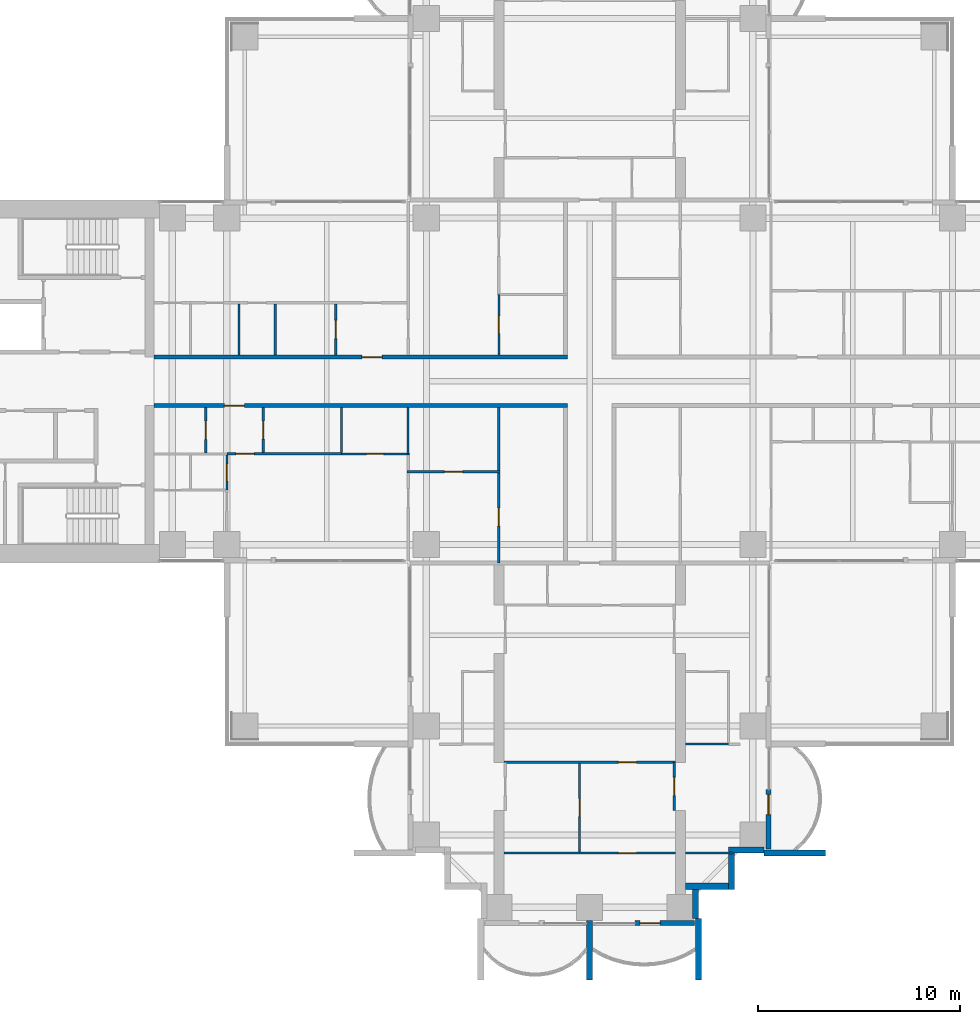
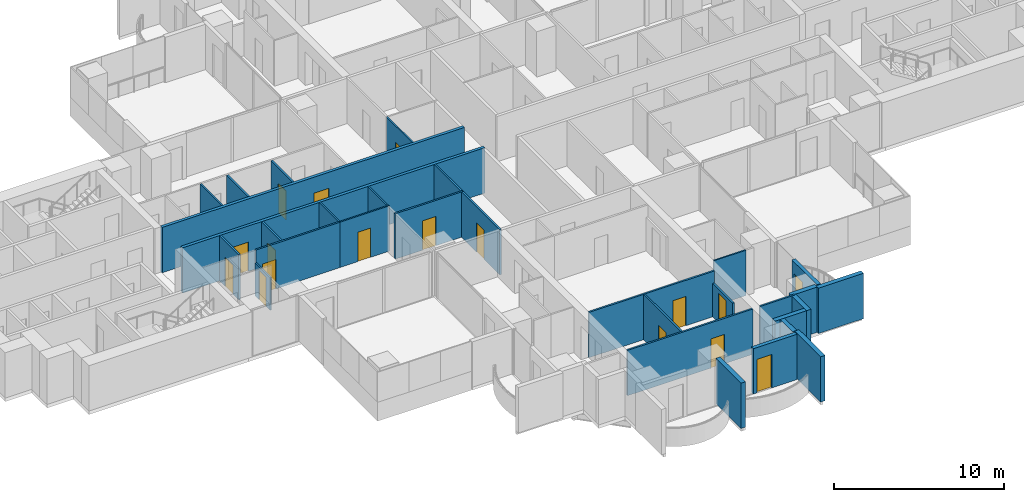
# One storey, part 11 of 21: 30 walls, 17 doors, 17 openings.
"""IFC4 building model written with IfcOpenShell, lengths in metres."""

import ifcopenshell
import ifcopenshell.guid

model = None  # the IFC model being written
_history = None  # IfcOwnerHistory: only IFC2X3 demands one
_inside = {}  # id of a spatial element -> (the spatial element, [elements in it])
_under = {}  # id of a project, library or spatial element -> (it, [spatial elements below it])
_declared = {}  # id of a project -> (the project, [libraries it declares])
_typed = {}  # id of a type object -> (the type object, [elements of that type])
_made_of = {}  # id of a material, layer set ... -> (it, [elements and type objects made of it])


def new_model(schema):
    """Start an empty IFC model of exactly this schema.

    Asked for "IFC4X3", IfcOpenShell would pick the latest addendum, in which some entities
    have other attributes; the version numbers below select the first issue.
    IFC2X3 requires an IfcOwnerHistory on every rooted entity: one is made here for all.
    """
    global model, _history
    if schema == "IFC4X3":
        model = ifcopenshell.file(schema_version=(4, 3, 0, 0))
    else:
        model = ifcopenshell.file(schema=schema)
    _inside.clear()
    _under.clear()
    _declared.clear()
    _typed.clear()
    _made_of.clear()
    _history = None
    if model.schema == "IFC2X3":
        org = make("IfcOrganization", Name="unknown")
        user = make(
            "IfcPersonAndOrganization",
            ThePerson=make("IfcPerson", FamilyName="unknown"),
            TheOrganization=org,
        )
        app = make(
            "IfcApplication",
            ApplicationDeveloper=org,
            Version="unknown",
            ApplicationFullName="unknown",
            ApplicationIdentifier="unknown",
        )
        _history = make(
            "IfcOwnerHistory",
            OwningUser=user,
            OwningApplication=app,
            ChangeAction="ADDED",
            CreationDate=0,
        )
    return model


def make(cls, **values):
    """One entity of the class cls with the attributes given. An attribute that is None is left unset."""
    return model.create_entity(
        cls, **{name: value for name, value in values.items() if value is not None}
    )


def rooted(cls, **values):
    """An entity with a GlobalId (a new one), such as an element, a storey or a relation."""
    return make(cls, GlobalId=ifcopenshell.guid.new(), OwnerHistory=_history, **values)


def si_unit(unit_type, name, prefix=None):
    """IfcSIUnit, for example si_unit("LENGTHUNIT", "METRE", prefix="MILLI")."""
    return make("IfcSIUnit", UnitType=unit_type, Prefix=prefix, Name=name)


def assignment(units):
    """IfcUnitAssignment: the units of a project."""
    return None if units is None else make("IfcUnitAssignment", Units=units)


def point(xyz):
    """IfcCartesianPoint."""
    return None if xyz is None else make("IfcCartesianPoint", Coordinates=xyz)


def direction(xyz):
    """IfcDirection."""
    return None if xyz is None else make("IfcDirection", DirectionRatios=xyz)


def frame(location, z_axis=None, x_axis=None):
    """IfcAxis2Placement3D, a coordinate frame: its origin and axes. An axis left out is left unset."""
    return make(
        "IfcAxis2Placement3D",
        Location=point(location),
        Axis=direction(z_axis),
        RefDirection=direction(x_axis),
    )


def frame_2d(location, x_axis=None):
    """IfcAxis2Placement2D, a coordinate frame in the plane: its origin and x axis."""
    return make(
        "IfcAxis2Placement2D", Location=point(location), RefDirection=direction(x_axis)
    )


def origin():
    """The frame at (0, 0, 0) with its axes left unset."""
    return frame((0.0, 0.0, 0.0))


def place(relative_to, where):
    """IfcLocalPlacement: puts the frame where relative to a parent placement (None: the world)."""
    return make(
        "IfcLocalPlacement", PlacementRelTo=relative_to, RelativePlacement=where
    )


def context(
    kind, dimensions, precision=None, world=None, true_north=None, identifier=None
):
    """IfcGeometricRepresentationContext, for example the 3D "Model" context."""
    return make(
        "IfcGeometricRepresentationContext",
        ContextIdentifier=identifier,
        ContextType=kind,
        CoordinateSpaceDimension=dimensions,
        Precision=precision,
        WorldCoordinateSystem=world,
        TrueNorth=true_north,
    )


def subcontext(parent, identifier, kind, view, scale=None):
    """IfcGeometricRepresentationSubContext, for example "Body" below "Model"."""
    return make(
        "IfcGeometricRepresentationSubContext",
        ContextIdentifier=identifier,
        ContextType=kind,
        ParentContext=parent,
        TargetScale=scale,
        TargetView=view,
    )


def project(units=None, contexts=None):
    """IfcProject with its units and contexts."""
    return rooted(
        "IfcProject",
        Name="project",
        RepresentationContexts=contexts,
        UnitsInContext=assignment(units),
    )


def spatial(cls, under=None, at=None, **own):
    """A site, building, storey or space (cls), placed at a placement, below another one or the project."""
    s = rooted(cls, ObjectPlacement=at, **own)
    if under is not None:
        _under.setdefault(under.id(), (under, []))[1].append(s)
    return s


def profile(cls, at=None, kind="AREA", **sizes):
    """A parametric profile (cls). Its sizes go by their IFC names, for example OverallWidth=200.0."""
    return make(cls, ProfileType=kind, Position=at, **sizes)


def rectangle(**sizes):
    """IfcRectangleProfileDef."""
    return profile("IfcRectangleProfileDef", **sizes)


def extrude(swept, where, along, depth):
    """IfcExtrudedAreaSolid: the profile swept, set in the frame where, extruded along a direction by depth."""
    return make(
        "IfcExtrudedAreaSolid",
        SweptArea=swept,
        Position=where,
        ExtrudedDirection=direction(along),
        Depth=depth,
    )


def shape(context_of_items, identifier, shape_type, items):
    """IfcShapeRepresentation: the items that make up one representation, for example the "Body"."""
    return make(
        "IfcShapeRepresentation",
        ContextOfItems=context_of_items,
        RepresentationIdentifier=identifier,
        RepresentationType=shape_type,
        Items=items,
    )


def material(Name=None, Category=None):
    """IfcMaterial."""
    return make("IfcMaterial", Name=Name, Category=Category)


def layer(
    of_material, thickness, ventilated=None, Name=None, Category=None, Priority=None
):
    """IfcMaterialLayer: one layer of a wall or slab, of a material (None: an air gap)."""
    return make(
        "IfcMaterialLayer",
        Material=of_material,
        LayerThickness=thickness,
        IsVentilated=ventilated,
        Name=Name,
        Category=Category,
        Priority=Priority,
    )


def layer_set(layers, Name=None):
    """IfcMaterialLayerSet."""
    return make("IfcMaterialLayerSet", MaterialLayers=layers, LayerSetName=Name)


def made_of(thing, what):
    """Note that an element or type object is made of a material, layer set ...; save() writes the relation."""
    if what is not None:
        _made_of.setdefault(what.id(), (what, []))[1].append(thing)
    return thing


def type_object(cls, material=None, **own):
    """A type object (cls), such as IfcWallType, which elements share."""
    return made_of(rooted(cls, **own), material)


def element(
    cls,
    number,
    at=None,
    inside=None,
    cuts=None,
    type_object=None,
    material=None,
    context=None,
    identifier="Body",
    shape_type=None,
    held_by="IfcProductDefinitionShape",
    body=None,
    shapes=None,
    **own,
):
    """One element of the class cls, such as IfcWall. Its Tag is "e" and its number.

    at: its placement. inside: the storey or other place that contains it. cuts: it is an
    opening in that element (IfcRelVoidsElement). A single representation is given by context,
    identifier, shape_type and body (its items); several are given by shapes. held_by: the class
    of the entity that holds the representations. save() writes the other relations.
    """
    e = rooted(cls, Tag="e%d" % number, ObjectPlacement=at, **own)
    if body is not None:
        shapes = [shape(context, identifier, shape_type, body)]
    if shapes is not None:
        e.Representation = make(held_by, Representations=shapes)
    if inside is not None:
        _inside.setdefault(inside.id(), (inside, []))[1].append(e)
    if cuts is not None:
        rooted(
            "IfcRelVoidsElement", RelatingBuildingElement=cuts, RelatedOpeningElement=e
        )
    if type_object is not None:
        _typed.setdefault(type_object.id(), (type_object, []))[1].append(e)
    return made_of(e, material)


def fill(opening, filler):
    """IfcRelFillsElement: the door or window that sits in an opening."""
    return rooted(
        "IfcRelFillsElement",
        RelatingOpeningElement=opening,
        RelatedBuildingElement=filler,
    )


def aggregate(whole, parts):
    """IfcRelAggregates: a whole, such as a stair, and the parts it consists of."""
    return rooted("IfcRelAggregates", RelatingObject=whole, RelatedObjects=parts)


def save(model, path):
    """Write the relations noted so far, then the file.

    IfcRelAggregates (storeys below a building ...), IfcRelContainedInSpatialStructure (elements
    in a storey), IfcRelDefinesByType, IfcRelAssociatesMaterial and IfcRelDeclares: one each for
    every whole, place, type object, material and project.
    """
    for whole, parts in _under.values():
        aggregate(whole, parts)
    for where, things in _inside.values():
        rooted(
            "IfcRelContainedInSpatialStructure",
            RelatedElements=things,
            RelatingStructure=where,
        )
    for kind, things in _typed.values():
        rooted("IfcRelDefinesByType", RelatedObjects=things, RelatingType=kind)
    for what, things in _made_of.values():
        rooted("IfcRelAssociatesMaterial", RelatedObjects=things, RelatingMaterial=what)
    for by, libraries in _declared.values():
        rooted("IfcRelDeclares", RelatingContext=by, RelatedDefinitions=libraries)
    model.write(path)


model = new_model("IFC4")

# Units and contexts
model_context = context("Model", 3, precision=1e-05, world=origin(), true_north=direction((0.0, 1.0)))
body_context = subcontext(model_context, "Body", "Model", "MODEL_VIEW")
ifc_project = project(units=[si_unit("LENGTHUNIT", "METRE"), si_unit("AREAUNIT", "SQUARE_METRE"), si_unit("VOLUMEUNIT", "CUBIC_METRE"), si_unit("PLANEANGLEUNIT", "RADIAN"), si_unit("MASSUNIT", "GRAM", prefix="KILO")], contexts=[model_context])

# Site, building, storey
site_placement = place(None, origin())
site = spatial("IfcSite", under=ifc_project, at=site_placement, CompositionType="ELEMENT")
building_placement = place(site_placement, origin())
building = spatial("IfcBuilding", under=site, at=building_placement, Name="Perihelion Cross Residences", CompositionType="ELEMENT")
storey_placement = place(building_placement, frame((0.0, 0.0, 57.5)))
storey = spatial("IfcBuildingStorey", under=building, at=storey_placement, Name="L11", CompositionType="ELEMENT", Elevation=57.5)

# Wall, opening, door
ifc_material_1 = material(Name="Plasterboard partition")
ifc_layer_1 = layer(ifc_material_1, 0.199951171875)
ifc_layer_set_1 = layer_set([ifc_layer_1], Name="Apartment separation wall 200")
wall_type_1 = type_object("IfcWallType", Name="Apartment separation wall 200", PredefinedType="PARTITIONING", material=ifc_layer_set_1)
wall_1_placement = place(storey_placement, frame((-21.60009765625, 1.199951171875, 0.0), z_axis=(0.0, 0.0, 1.0), x_axis=(1.0, 0.0, 0.0)))
wall_1 = element("IfcWall", 1, at=wall_1_placement, inside=storey, type_object=wall_type_1, Name="Partition L11 W005", PredefinedType="PARTITIONING", context=body_context, shape_type="SweptSolid", body=[
    extrude(rectangle(XDim=20.5, YDim=0.199951171875, at=frame_2d((10.25, 0.0))), origin(), (0.0, 0.0, 1.0), 3.25),
])
opening_1_placement = place(wall_1_placement, frame((10.300048828125, 0.0, 0.0)))
opening_1 = element("IfcOpeningElement", 2, at=opening_1_placement, cuts=wall_1, Name="Opening L11.A55", PredefinedType="OPENING", context=body_context, shape_type="SweptSolid", body=[
    extrude(rectangle(XDim=1.0, YDim=2.10009765625, at=frame_2d((0.5, 1.050048828125))), frame((0.0, 0.10986328125, 0.0), z_axis=(0.0, -1.0, 0.0), x_axis=(1.0, 0.0, 0.0)), (0.0, 0.0, 1.0), 0.219970703125),
])
ifc_material_2 = material(Name="Timber door leaf", Category="wood")
door_type_1 = type_object("IfcDoorType", Name="Flat entrance door 1000 x 2100", OperationType="SINGLE_SWING_LEFT", PredefinedType="DOOR", material=ifc_material_2)
door_1_placement = place(opening_1_placement, origin())
door_1 = element("IfcDoor", 3, at=door_1_placement, inside=storey, type_object=door_type_1, Name="Door L11.A55", OperationType="SINGLE_SWING_LEFT", OverallHeight=2.10009765625, OverallWidth=1.0, PredefinedType="DOOR", context=body_context, shape_type="SweptSolid", body=[
    extrude(rectangle(XDim=1.0, YDim=2.10009765625, at=frame_2d((0.5, 1.050048828125))), frame((0.0, 0.02490234375, 0.0), z_axis=(0.0, -1.0, 0.0), x_axis=(1.0, 0.0, 0.0)), (0.0, 0.0, 1.0), 0.050048828125),
])
fill(opening_1, door_1)

wall_2_placement = place(storey_placement, frame((-1.10009765625, -1.199951171875, 0.0), z_axis=(0.0, 0.0, 1.0), x_axis=(-1.0, 0.0, 0.0)))
wall_2 = element("IfcWall", 4, at=wall_2_placement, inside=storey, type_object=wall_type_1, Name="Partition L11 W007", PredefinedType="PARTITIONING", context=body_context, shape_type="SweptSolid", body=[
    extrude(rectangle(XDim=20.5, YDim=0.199951171875, at=frame_2d((10.25, 0.0))), origin(), (0.0, 0.0, 1.0), 3.25),
])
opening_2_placement = place(wall_2_placement, frame((16.02490234375, 0.0, 0.0)))
opening_2 = element("IfcOpeningElement", 5, at=opening_2_placement, cuts=wall_2, Name="Opening L11.A56", PredefinedType="OPENING", context=body_context, shape_type="SweptSolid", body=[
    extrude(rectangle(XDim=1.0, YDim=2.10009765625, at=frame_2d((0.5, 1.050048828125))), frame((0.0, 0.10986328125, 0.0), z_axis=(0.0, -1.0, 0.0), x_axis=(1.0, 0.0, 0.0)), (0.0, 0.0, 1.0), 0.219970703125),
])
door_2_placement = place(opening_2_placement, origin())
door_2 = element("IfcDoor", 6, at=door_2_placement, inside=storey, type_object=door_type_1, Name="Door L11.A56", OperationType="SINGLE_SWING_RIGHT", OverallHeight=2.10009765625, OverallWidth=1.0, PredefinedType="DOOR", context=body_context, shape_type="SweptSolid", body=[
    extrude(rectangle(XDim=1.0, YDim=2.10009765625, at=frame_2d((0.5, 1.050048828125))), frame((0.0, 0.02490234375, 0.0), z_axis=(0.0, -1.0, 0.0), x_axis=(1.0, 0.0, 0.0)), (0.0, 0.0, 1.0), 0.050048828125),
])
fill(opening_2, door_2)

ifc_material_3 = material(Name="Concrete C30/37, bronze-clad", Category="concrete")
ifc_layer_2 = layer(ifc_material_3, 0.25)
ifc_layer_set_2 = layer_set([ifc_layer_2], Name="Bronze-clad pier wall 250")
wall_type_2 = type_object("IfcWallType", Name="Bronze-clad pier wall 250", PredefinedType="SOLIDWALL", material=ifc_layer_set_2)
wall_3_placement = place(storey_placement, frame((2.25, -26.875, 0.0), z_axis=(0.0, 0.0, 1.0), x_axis=(1.0, 0.0, 0.0)))
wall_3 = element("IfcWall", 7, at=wall_3_placement, inside=storey, type_object=wall_type_2, Name="Wall FW1 L11 south tip south bay 2 pier", PredefinedType="SOLIDWALL", context=body_context, shape_type="SweptSolid", body=[
    extrude(rectangle(XDim=2.949951171875, YDim=0.25, at=frame_2d((1.47509765625, 0.0))), origin(), (0.0, 0.0, 1.0), 3.25),
])
opening_3_placement = place(wall_3_placement, frame((0.25, 0.0, 0.0)))
opening_3 = element("IfcOpeningElement", 8, at=opening_3_placement, cuts=wall_3, Name="Opening L11.E13", PredefinedType="OPENING", context=body_context, shape_type="SweptSolid", body=[
    extrude(rectangle(XDim=1.0, YDim=2.39990234375, at=frame_2d((0.5, 1.199951171875))), frame((0.0, 0.135009765625, 0.0), z_axis=(0.0, -1.0, 0.0), x_axis=(1.0, 0.0, 0.0)), (0.0, 0.0, 1.0), 0.27001953125),
])
ifc_material_4 = material(Name="Bronze anodised aluminium, glazed", Category="aluminium")
door_type_2 = type_object("IfcDoorType", Name="Balcony door 1000 x 2400", OperationType="NOTDEFINED", PredefinedType="DOOR", material=ifc_material_4)
door_3_placement = place(opening_3_placement, origin())
door_3 = element("IfcDoor", 9, at=door_3_placement, inside=storey, type_object=door_type_2, Name="Door L11.E13 south tip south bay 2", OperationType="SINGLE_SWING_RIGHT", OverallHeight=2.39990234375, OverallWidth=1.0, PredefinedType="DOOR", context=body_context, shape_type="SweptSolid", body=[
    extrude(rectangle(XDim=1.0, YDim=2.39990234375, at=frame_2d((0.5, 1.199951171875))), frame((0.0, 0.02490234375, 0.0), z_axis=(0.0, -1.0, 0.0), x_axis=(1.0, 0.0, 0.0)), (0.0, 0.0, 1.0), 0.050048828125),
])
fill(opening_3, door_3)

wall_4_placement = place(storey_placement, frame((8.875, -23.199951171875, 0.0), z_axis=(0.0, 0.0, 1.0), x_axis=(0.0, 1.0, 0.0)))
wall_4 = element("IfcWall", 10, at=wall_4_placement, inside=storey, type_object=wall_type_2, Name="Wall FW1 L11 south side east bay 1 pier", PredefinedType="SOLIDWALL", context=body_context, shape_type="SweptSolid", body=[
    extrude(rectangle(XDim=2.949951171875, YDim=0.25, at=frame_2d((1.47509765625, 0.0))), origin(), (0.0, 0.0, 1.0), 3.25),
])
opening_4_placement = place(wall_4_placement, frame((1.699951171875, 0.0, 0.0)))
opening_4 = element("IfcOpeningElement", 11, at=opening_4_placement, cuts=wall_4, Name="Opening L11.E14", PredefinedType="OPENING", context=body_context, shape_type="SweptSolid", body=[
    extrude(rectangle(XDim=1.0, YDim=2.39990234375, at=frame_2d((0.5, 1.199951171875))), frame((0.0, 0.135009765625, 0.0), z_axis=(0.0, -1.0, 0.0), x_axis=(1.0, 0.0, 0.0)), (0.0, 0.0, 1.0), 0.27001953125),
])
door_4_placement = place(opening_4_placement, origin())
door_4 = element("IfcDoor", 12, at=door_4_placement, inside=storey, type_object=door_type_2, Name="Door L11.E14 south side east bay 1", OperationType="SINGLE_SWING_LEFT", OverallHeight=2.39990234375, OverallWidth=1.0, PredefinedType="DOOR", context=body_context, shape_type="SweptSolid", body=[
    extrude(rectangle(XDim=1.0, YDim=2.39990234375, at=frame_2d((0.5, 1.199951171875))), frame((0.0, 0.02490234375, 0.0), z_axis=(0.0, -1.0, 0.0), x_axis=(1.0, 0.0, 0.0)), (0.0, 0.0, 1.0), 0.050048828125),
])
fill(opening_4, door_4)

# Walls
ifc_material_5 = material(Name="Concrete C30/37, bronze-clad", Category="concrete")
ifc_layer_3 = layer(ifc_material_5, 0.300048828125)
ifc_layer_set_3 = layer_set([ifc_layer_3], Name="Bronze-clad serration wall 300")
wall_type_3 = type_object("IfcWallType", Name="Bronze-clad serration wall 300", PredefinedType="SOLIDWALL", material=ifc_layer_set_3)
wall_5_placement = place(storey_placement, frame((5.25, -26.64990234375, 0.0), z_axis=(0.0, 0.0, 1.0), x_axis=(0.0, 1.0, 0.0)))
element("IfcWall", 13, at=wall_5_placement, inside=storey, type_object=wall_type_3, Name="Wall SR1 L11 south corner south-east 1", PredefinedType="SOLIDWALL", context=body_context, shape_type="SweptSolid", body=[
    extrude(rectangle(XDim=1.449951171875, YDim=0.300048828125, at=frame_2d((0.72509765625, 0.0))), origin(), (0.0, 0.0, 1.0), 3.25),
])
wall_6_placement = place(storey_placement, frame((4.75, -25.050048828125, 0.0), z_axis=(0.0, 0.0, 1.0), x_axis=(1.0, 0.0, 0.0)))
element("IfcWall", 14, at=wall_6_placement, inside=storey, type_object=wall_type_3, Name="Wall SR1 L11 south corner south-east 2", PredefinedType="SOLIDWALL", context=body_context, shape_type="SweptSolid", body=[
    extrude(rectangle(XDim=2.14990234375, YDim=0.300048828125, at=frame_2d((1.074951171875, 0.0))), origin(), (0.0, 0.0, 1.0), 3.25),
])
wall_7_placement = place(storey_placement, frame((7.050048828125, -25.199951171875, 0.0), z_axis=(0.0, 0.0, 1.0), x_axis=(0.0, 1.0, 0.0)))
element("IfcWall", 15, at=wall_7_placement, inside=storey, type_object=wall_type_3, Name="Wall SR1 L11 south corner south-east 3", PredefinedType="SOLIDWALL", context=body_context, shape_type="SweptSolid", body=[
    extrude(rectangle(XDim=1.800048828125, YDim=0.300048828125, at=frame_2d((0.89990234375, 0.0))), origin(), (0.0, 0.0, 1.0), 3.25),
])
wall_8_placement = place(storey_placement, frame((6.89990234375, -23.25, 0.0), z_axis=(0.0, 0.0, 1.0), x_axis=(1.0, 0.0, 0.0)))
element("IfcWall", 16, at=wall_8_placement, inside=storey, type_object=wall_type_3, Name="Wall SR1 L11 south corner south-east 4", PredefinedType="SOLIDWALL", context=body_context, shape_type="SweptSolid", body=[
    extrude(rectangle(XDim=1.75, YDim=0.300048828125, at=frame_2d((0.875, 0.0))), origin(), (0.0, 0.0, 1.0), 3.25),
])

# Wall, opening, door
ifc_material_6 = material(Name="Plasterboard partition")
ifc_layer_4 = layer(ifc_material_6, 0.1201171875)
ifc_layer_set_4 = layer_set([ifc_layer_4], Name="Infill panel 120")
wall_type_4 = type_object("IfcWallType", Name="Infill panel 120", PredefinedType="PARTITIONING", material=ifc_layer_set_4)
wall_9_placement = place(storey_placement, frame((4.18994140625, -18.89990234375, 0.0), z_axis=(0.0, 0.0, 1.0), x_axis=(0.0, -1.0, 0.0)))
wall_9 = element("IfcWall", 17, at=wall_9_placement, inside=storey, type_object=wall_type_4, Name="Partition L11 WI06", PredefinedType="PARTITIONING", context=body_context, shape_type="SweptSolid", body=[
    extrude(rectangle(XDim=2.400146484375, YDim=0.1201171875, at=frame_2d((1.2001953125, 0.0))), origin(), (0.0, 0.0, 1.0), 2.39990234375),
])
opening_5_placement = place(wall_9_placement, frame((0.75, 0.0, 0.0)))
opening_5 = element("IfcOpeningElement", 18, at=opening_5_placement, cuts=wall_9, Name="Opening L11.A62", PredefinedType="OPENING", context=body_context, shape_type="SweptSolid", body=[
    extrude(rectangle(XDim=0.89990234375, YDim=2.10009765625, at=frame_2d((0.449951171875, 1.050048828125))), frame((0.0, 0.070068359375, 0.0), z_axis=(0.0, -1.0, 0.0), x_axis=(1.0, 0.0, 0.0)), (0.0, 0.0, 1.0), 0.14013671875),
])
ifc_material_7 = material(Name="Timber door leaf", Category="wood")
door_type_3 = type_object("IfcDoorType", Name="Interior room door 900 x 2100", OperationType="SINGLE_SWING_LEFT", PredefinedType="DOOR", material=ifc_material_7)
door_5_placement = place(opening_5_placement, origin())
door_5 = element("IfcDoor", 19, at=door_5_placement, inside=storey, type_object=door_type_3, Name="Door L11.A62", OperationType="SINGLE_SWING_LEFT", OverallHeight=2.10009765625, OverallWidth=0.89990234375, PredefinedType="DOOR", context=body_context, shape_type="SweptSolid", body=[
    extrude(rectangle(XDim=0.89990234375, YDim=2.10009765625, at=frame_2d((0.449951171875, 1.050048828125))), frame((0.0, 0.02490234375, 0.0), z_axis=(0.0, -1.0, 0.0), x_axis=(1.0, 0.0, 0.0)), (0.0, 0.0, 1.0), 0.050048828125),
])
fill(opening_5, door_5)

ifc_material_8 = material(Name="Plasterboard partition")
ifc_layer_5 = layer(ifc_material_8, 0.1201171875)
ifc_layer_set_5 = layer_set([ifc_layer_5], Name="Partition wall 120")
wall_type_5 = type_object("IfcWallType", Name="Partition wall 120", PredefinedType="PARTITIONING", material=ifc_layer_set_5)
wall_10_placement = place(storey_placement, frame((-12.60009765625, 1.300048828125, 0.0), z_axis=(0.0, 0.0, 1.0), x_axis=(0.0, 1.0, 0.0)))
wall_10 = element("IfcWall", 20, at=wall_10_placement, inside=storey, type_object=wall_type_5, Name="Partition L11 W035", PredefinedType="PARTITIONING", context=body_context, shape_type="SweptSolid", body=[
    extrude(rectangle(XDim=2.5400390625, YDim=0.1201171875, at=frame_2d((1.27001953125, 0.0))), origin(), (0.0, 0.0, 1.0), 3.25),
])
opening_6_placement = place(wall_10_placement, frame((0.820068359375, 0.0, 0.0)))
opening_6 = element("IfcOpeningElement", 21, at=opening_6_placement, cuts=wall_10, Name="Opening L11.A20", PredefinedType="OPENING", context=body_context, shape_type="SweptSolid", body=[
    extrude(rectangle(XDim=0.89990234375, YDim=2.10009765625, at=frame_2d((0.449951171875, 1.050048828125))), frame((0.0, 0.070068359375, 0.0), z_axis=(0.0, -1.0, 0.0), x_axis=(1.0, 0.0, 0.0)), (0.0, 0.0, 1.0), 0.14013671875),
])
door_6_placement = place(opening_6_placement, origin())
door_6 = element("IfcDoor", 22, at=door_6_placement, inside=storey, type_object=door_type_3, Name="Door L11.A20", OperationType="SINGLE_SWING_RIGHT", OverallHeight=2.10009765625, OverallWidth=0.89990234375, PredefinedType="DOOR", context=body_context, shape_type="SweptSolid", body=[
    extrude(rectangle(XDim=0.89990234375, YDim=2.10009765625, at=frame_2d((0.449951171875, 1.050048828125))), frame((0.0, 0.02490234375, 0.0), z_axis=(0.0, -1.0, 0.0), x_axis=(1.0, 0.0, 0.0)), (0.0, 0.0, 1.0), 0.050048828125),
])
fill(opening_6, door_6)

# Wall
wall_11_placement = place(storey_placement, frame((-15.60009765625, 1.300048828125, 0.0), z_axis=(0.0, 0.0, 1.0), x_axis=(0.0, 1.0, 0.0)))
element("IfcWall", 23, at=wall_11_placement, inside=storey, type_object=wall_type_5, Name="Partition L11 W038", PredefinedType="PARTITIONING", context=body_context, shape_type="SweptSolid", body=[
    extrude(rectangle(XDim=2.5400390625, YDim=0.1201171875, at=frame_2d((1.27001953125, 0.0))), origin(), (0.0, 0.0, 1.0), 3.25),
])

# Wall, opening, door
wall_12_placement = place(storey_placement, frame((-16.199951171875, -3.5400390625, 0.0), z_axis=(0.0, 0.0, 1.0), x_axis=(0.0, 1.0, 0.0)))
wall_12 = element("IfcWall", 24, at=wall_12_placement, inside=storey, type_object=wall_type_5, Name="Partition L11 W049", PredefinedType="PARTITIONING", context=body_context, shape_type="SweptSolid", body=[
    extrude(rectangle(XDim=2.239990234375, YDim=0.1201171875, at=frame_2d((1.1201171875, 0.0))), origin(), (0.0, 0.0, 1.0), 3.25),
])
opening_7_placement = place(wall_12_placement, frame((0.669921875, 0.0, 0.0)))
opening_7 = element("IfcOpeningElement", 25, at=opening_7_placement, cuts=wall_12, Name="Opening L11.A31", PredefinedType="OPENING", context=body_context, shape_type="SweptSolid", body=[
    extrude(rectangle(XDim=0.89990234375, YDim=2.10009765625, at=frame_2d((0.449951171875, 1.050048828125))), frame((0.0, 0.070068359375, 0.0), z_axis=(0.0, -1.0, 0.0), x_axis=(1.0, 0.0, 0.0)), (0.0, 0.0, 1.0), 0.14013671875),
])
door_7_placement = place(opening_7_placement, origin())
door_7 = element("IfcDoor", 26, at=door_7_placement, inside=storey, type_object=door_type_3, Name="Door L11.A31", OperationType="SINGLE_SWING_RIGHT", OverallHeight=2.10009765625, OverallWidth=0.89990234375, PredefinedType="DOOR", context=body_context, shape_type="SweptSolid", body=[
    extrude(rectangle(XDim=0.89990234375, YDim=2.10009765625, at=frame_2d((0.449951171875, 1.050048828125))), frame((0.0, 0.02490234375, 0.0), z_axis=(0.0, -1.0, 0.0), x_axis=(1.0, 0.0, 0.0)), (0.0, 0.0, 1.0), 0.050048828125),
])
fill(opening_7, door_7)

wall_13_placement = place(storey_placement, frame((-12.300048828125, -3.60009765625, 0.0), z_axis=(0.0, 0.0, 1.0), x_axis=(-1.0, 0.0, 0.0)))
wall_13 = element("IfcWall", 27, at=wall_13_placement, inside=storey, type_object=wall_type_5, Name="Partition L11 W050", PredefinedType="PARTITIONING", context=body_context, shape_type="SweptSolid", body=[
    extrude(rectangle(XDim=5.699951171875, YDim=0.1201171875, at=frame_2d((2.85009765625, 0.0))), origin(), (0.0, 0.0, 1.0), 3.25),
])
opening_8_placement = place(wall_13_placement, frame((4.35009765625, 0.0, 0.0)))
opening_8 = element("IfcOpeningElement", 28, at=opening_8_placement, cuts=wall_13, Name="Opening L11.A33", PredefinedType="OPENING", context=body_context, shape_type="SweptSolid", body=[
    extrude(rectangle(XDim=0.89990234375, YDim=2.10009765625, at=frame_2d((0.449951171875, 1.050048828125))), frame((0.0, 0.070068359375, 0.0), z_axis=(0.0, -1.0, 0.0), x_axis=(1.0, 0.0, 0.0)), (0.0, 0.0, 1.0), 0.14013671875),
])
door_8_placement = place(opening_8_placement, origin())
door_8 = element("IfcDoor", 29, at=door_8_placement, inside=storey, type_object=door_type_3, Name="Door L11.A33", OperationType="SINGLE_SWING_RIGHT", OverallHeight=2.10009765625, OverallWidth=0.89990234375, PredefinedType="DOOR", context=body_context, shape_type="SweptSolid", body=[
    extrude(rectangle(XDim=0.89990234375, YDim=2.10009765625, at=frame_2d((0.449951171875, 1.050048828125))), frame((0.0, 0.02490234375, 0.0), z_axis=(0.0, -1.0, 0.0), x_axis=(1.0, 0.0, 0.0)), (0.0, 0.0, 1.0), 0.050048828125),
])
fill(opening_8, door_8)

wall_14_placement = place(storey_placement, frame((-19.050048828125, -3.550048828125, 0.0), z_axis=(0.0, 0.0, 1.0), x_axis=(0.0, 1.0, 0.0)))
wall_14 = element("IfcWall", 30, at=wall_14_placement, inside=storey, type_object=wall_type_5, Name="Partition L11 W051", PredefinedType="PARTITIONING", context=body_context, shape_type="SweptSolid", body=[
    extrude(rectangle(XDim=2.25, YDim=0.1201171875, at=frame_2d((1.125, 0.0))), origin(), (0.0, 0.0, 1.0), 3.25),
])
opening_9_placement = place(wall_14_placement, frame((0.675048828125, 0.0, 0.0)))
opening_9 = element("IfcOpeningElement", 31, at=opening_9_placement, cuts=wall_14, Name="Opening L11.A27", PredefinedType="OPENING", context=body_context, shape_type="SweptSolid", body=[
    extrude(rectangle(XDim=0.89990234375, YDim=2.10009765625, at=frame_2d((0.449951171875, 1.050048828125))), frame((0.0, 0.070068359375, 0.0), z_axis=(0.0, -1.0, 0.0), x_axis=(1.0, 0.0, 0.0)), (0.0, 0.0, 1.0), 0.14013671875),
])
door_9_placement = place(opening_9_placement, origin())
door_9 = element("IfcDoor", 32, at=door_9_placement, inside=storey, type_object=door_type_3, Name="Door L11.A27", OperationType="SINGLE_SWING_RIGHT", OverallHeight=2.10009765625, OverallWidth=0.89990234375, PredefinedType="DOOR", context=body_context, shape_type="SweptSolid", body=[
    extrude(rectangle(XDim=0.89990234375, YDim=2.10009765625, at=frame_2d((0.449951171875, 1.050048828125))), frame((0.0, 0.02490234375, 0.0), z_axis=(0.0, -1.0, 0.0), x_axis=(1.0, 0.0, 0.0)), (0.0, 0.0, 1.0), 0.050048828125),
])
fill(opening_9, door_9)

wall_15_placement = place(storey_placement, frame((-4.43994140625, -4.47607421875, 0.0), z_axis=(0.0, 0.0, 1.0), x_axis=(-1.0, 0.0, 0.0)))
wall_15 = element("IfcWall", 33, at=wall_15_placement, inside=storey, type_object=wall_type_5, Name="Partition L11 W058", PredefinedType="PARTITIONING", context=body_context, shape_type="SweptSolid", body=[
    extrude(rectangle(XDim=4.6201171875, YDim=0.1201171875, at=frame_2d((2.31005859375, 0.0))), origin(), (0.0, 0.0, 1.0), 3.25),
])
opening_10_placement = place(wall_15_placement, frame((1.860107421875, 0.0, 0.0)))
opening_10 = element("IfcOpeningElement", 34, at=opening_10_placement, cuts=wall_15, Name="Opening L11.A32", PredefinedType="OPENING", context=body_context, shape_type="SweptSolid", body=[
    extrude(rectangle(XDim=0.89990234375, YDim=2.10009765625, at=frame_2d((0.449951171875, 1.050048828125))), frame((0.0, 0.070068359375, 0.0), z_axis=(0.0, -1.0, 0.0), x_axis=(1.0, 0.0, 0.0)), (0.0, 0.0, 1.0), 0.14013671875),
])
door_10_placement = place(opening_10_placement, origin())
door_10 = element("IfcDoor", 35, at=door_10_placement, inside=storey, type_object=door_type_3, Name="Door L11.A32", OperationType="SINGLE_SWING_LEFT", OverallHeight=2.10009765625, OverallWidth=0.89990234375, PredefinedType="DOOR", context=body_context, shape_type="SweptSolid", body=[
    extrude(rectangle(XDim=0.89990234375, YDim=2.10009765625, at=frame_2d((0.449951171875, 1.050048828125))), frame((0.0, 0.02490234375, 0.0), z_axis=(0.0, -1.0, 0.0), x_axis=(1.0, 0.0, 0.0)), (0.0, 0.0, 1.0), 0.050048828125),
])
fill(opening_10, door_10)

wall_16_placement = place(storey_placement, frame((-4.5, -1.300048828125, 0.0), z_axis=(0.0, 0.0, 1.0), x_axis=(0.0, -1.0, 0.0)))
wall_16 = element("IfcWall", 36, at=wall_16_placement, inside=storey, type_object=wall_type_5, Name="Partition L11 W059", PredefinedType="PARTITIONING", context=body_context, shape_type="SweptSolid", body=[
    extrude(rectangle(XDim=7.699951171875, YDim=0.1201171875, at=frame_2d((3.85009765625, 0.0))), origin(), (0.0, 0.0, 1.0), 3.25),
])
opening_11_placement = place(wall_16_placement, frame((4.988037109375, 0.0, 0.0)))
opening_11 = element("IfcOpeningElement", 37, at=opening_11_placement, cuts=wall_16, Name="Opening L11.A34", PredefinedType="OPENING", context=body_context, shape_type="SweptSolid", body=[
    extrude(rectangle(XDim=0.89990234375, YDim=2.10009765625, at=frame_2d((0.449951171875, 1.050048828125))), frame((0.0, 0.070068359375, 0.0), z_axis=(0.0, -1.0, 0.0), x_axis=(1.0, 0.0, 0.0)), (0.0, 0.0, 1.0), 0.14013671875),
])
door_11_placement = place(opening_11_placement, origin())
door_11 = element("IfcDoor", 38, at=door_11_placement, inside=storey, type_object=door_type_3, Name="Door L11.A34", OperationType="SINGLE_SWING_LEFT", OverallHeight=2.10009765625, OverallWidth=0.89990234375, PredefinedType="DOOR", context=body_context, shape_type="SweptSolid", body=[
    extrude(rectangle(XDim=0.89990234375, YDim=2.10009765625, at=frame_2d((0.449951171875, 1.050048828125))), frame((0.0, 0.02490234375, 0.0), z_axis=(0.0, -1.0, 0.0), x_axis=(1.0, 0.0, 0.0)), (0.0, 0.0, 1.0), 0.050048828125),
])
fill(opening_11, door_11)

wall_17_placement = place(storey_placement, frame((4.25, -18.89990234375, 0.0), z_axis=(0.0, 0.0, 1.0), x_axis=(-1.0, 0.0, 0.0)))
wall_17 = element("IfcWall", 39, at=wall_17_placement, inside=storey, type_object=wall_type_5, Name="Partition L11 W081", PredefinedType="PARTITIONING", context=body_context, shape_type="SweptSolid", body=[
    extrude(rectangle(XDim=8.5, YDim=0.1201171875, at=frame_2d((4.25, 0.0))), origin(), (0.0, 0.0, 1.0), 3.25),
])
opening_12_placement = place(wall_17_placement, frame((1.925048828125, 0.0, 0.0)))
opening_12 = element("IfcOpeningElement", 40, at=opening_12_placement, cuts=wall_17, Name="Opening L11.A48", PredefinedType="OPENING", context=body_context, shape_type="SweptSolid", body=[
    extrude(rectangle(XDim=0.89990234375, YDim=2.10009765625, at=frame_2d((0.449951171875, 1.050048828125))), frame((0.0, 0.070068359375, 0.0), z_axis=(0.0, -1.0, 0.0), x_axis=(1.0, 0.0, 0.0)), (0.0, 0.0, 1.0), 0.14013671875),
])
door_12_placement = place(opening_12_placement, origin())
door_12 = element("IfcDoor", 41, at=door_12_placement, inside=storey, type_object=door_type_3, Name="Door L11.A48", OperationType="SINGLE_SWING_LEFT", OverallHeight=2.10009765625, OverallWidth=0.89990234375, PredefinedType="DOOR", context=body_context, shape_type="SweptSolid", body=[
    extrude(rectangle(XDim=0.89990234375, YDim=2.10009765625, at=frame_2d((0.449951171875, 1.050048828125))), frame((0.0, 0.02490234375, 0.0), z_axis=(0.0, -1.0, 0.0), x_axis=(1.0, 0.0, 0.0)), (0.0, 0.0, 1.0), 0.050048828125),
])
fill(opening_12, door_12)

wall_18_placement = place(storey_placement, frame((-0.5, -23.340087890625, 0.0), z_axis=(0.0, 0.0, 1.0), x_axis=(0.0, 1.0, 0.0)))
wall_18 = element("IfcWall", 42, at=wall_18_placement, inside=storey, type_object=wall_type_5, Name="Partition L11 W082", PredefinedType="PARTITIONING", context=body_context, shape_type="SweptSolid", body=[
    extrude(rectangle(XDim=4.380126953125, YDim=0.1201171875, at=frame_2d((2.18994140625, 0.0))), origin(), (0.0, 0.0, 1.0), 3.25),
])
opening_13_placement = place(wall_18_placement, frame((1.739990234375, 0.0, 0.0)))
opening_13 = element("IfcOpeningElement", 43, at=opening_13_placement, cuts=wall_18, Name="Opening L11.A49", PredefinedType="OPENING", context=body_context, shape_type="SweptSolid", body=[
    extrude(rectangle(XDim=0.89990234375, YDim=2.10009765625, at=frame_2d((0.449951171875, 1.050048828125))), frame((0.0, 0.070068359375, 0.0), z_axis=(0.0, -1.0, 0.0), x_axis=(1.0, 0.0, 0.0)), (0.0, 0.0, 1.0), 0.14013671875),
])
door_13_placement = place(opening_13_placement, origin())
door_13 = element("IfcDoor", 44, at=door_13_placement, inside=storey, type_object=door_type_3, Name="Door L11.A49", OperationType="SINGLE_SWING_RIGHT", OverallHeight=2.10009765625, OverallWidth=0.89990234375, PredefinedType="DOOR", context=body_context, shape_type="SweptSolid", body=[
    extrude(rectangle(XDim=0.89990234375, YDim=2.10009765625, at=frame_2d((0.449951171875, 1.050048828125))), frame((0.0, 0.02490234375, 0.0), z_axis=(0.0, -1.0, 0.0), x_axis=(1.0, 0.0, 0.0)), (0.0, 0.0, 1.0), 0.050048828125),
])
fill(opening_13, door_13)

wall_19_placement = place(storey_placement, frame((4.25, -23.39990234375, 0.0), z_axis=(0.0, 0.0, 1.0), x_axis=(-1.0, 0.0, 0.0)))
wall_19 = element("IfcWall", 45, at=wall_19_placement, inside=storey, type_object=wall_type_5, Name="Partition L11 W083", PredefinedType="PARTITIONING", context=body_context, shape_type="SweptSolid", body=[
    extrude(rectangle(XDim=8.5, YDim=0.1201171875, at=frame_2d((4.25, 0.0))), origin(), (0.0, 0.0, 1.0), 3.25),
])
opening_14_placement = place(wall_19_placement, frame((1.925048828125, 0.0, 0.0)))
opening_14 = element("IfcOpeningElement", 46, at=opening_14_placement, cuts=wall_19, Name="Opening L11.A50", PredefinedType="OPENING", context=body_context, shape_type="SweptSolid", body=[
    extrude(rectangle(XDim=0.89990234375, YDim=2.10009765625, at=frame_2d((0.449951171875, 1.050048828125))), frame((0.0, 0.070068359375, 0.0), z_axis=(0.0, -1.0, 0.0), x_axis=(1.0, 0.0, 0.0)), (0.0, 0.0, 1.0), 0.14013671875),
])
door_14_placement = place(opening_14_placement, origin())
door_14 = element("IfcDoor", 47, at=door_14_placement, inside=storey, type_object=door_type_3, Name="Door L11.A50", OperationType="SINGLE_SWING_RIGHT", OverallHeight=2.10009765625, OverallWidth=0.89990234375, PredefinedType="DOOR", context=body_context, shape_type="SweptSolid", body=[
    extrude(rectangle(XDim=0.89990234375, YDim=2.10009765625, at=frame_2d((0.449951171875, 1.050048828125))), frame((0.0, 0.02490234375, 0.0), z_axis=(0.0, -1.0, 0.0), x_axis=(1.0, 0.0, 0.0)), (0.0, 0.0, 1.0), 0.050048828125),
])
fill(opening_14, door_14)

# Walls
wall_20_placement = place(storey_placement, frame((7.1201171875, -23.39990234375, 0.0), z_axis=(0.0, 0.0, 1.0), x_axis=(-1.0, 0.0, 0.0)))
element("IfcWall", 48, at=wall_20_placement, inside=storey, type_object=wall_type_5, Name="Partition L11 W088", PredefinedType="PARTITIONING", context=body_context, shape_type="SweptSolid", body=[
    extrude(rectangle(XDim=2.3701171875, YDim=0.1201171875, at=frame_2d((1.18505859375, 0.0))), origin(), (0.0, 0.0, 1.0), 3.25),
])
ifc_material_9 = material(Name="Precast concrete C50/60", Category="concrete")
ifc_layer_6 = layer(ifc_material_9, 0.300048828125)
ifc_layer_set_6 = layer_set([ifc_layer_6], Name="Precast concrete C50/60 blade wall 300")
wall_type_6 = type_object("IfcWallType", Name="Precast concrete C50/60 blade wall 300", PredefinedType="SOLIDWALL", material=ifc_layer_set_6)
wall_21_placement = place(storey_placement, frame((0.0, -26.75, 0.0), z_axis=(0.0, 0.0, 1.0), x_axis=(0.0, -1.0, 0.0)))
element("IfcWall", 49, at=wall_21_placement, inside=storey, type_object=wall_type_6, Name="Wall BL1 L11 no. 9", PredefinedType="SOLIDWALL", context=body_context, shape_type="SweptSolid", body=[
    extrude(rectangle(XDim=2.949951171875, YDim=0.300048828125, at=frame_2d((1.47509765625, 0.0))), origin(), (0.0, 0.0, 1.0), 3.25),
])
for number, where, z_axis, x_axis, name in (
    (50, (5.39990234375, -26.64990234375, 0.0), (0.0, 0.0, 1.0), (0.0, -1.0, 0.0), "Wall BL1 L11 no. 13"),
    (51, (8.64990234375, -23.39990234375, 0.0), (0.0, 0.0, 1.0), (1.0, 0.0, 0.0), "Wall BL1 L11 no. 16"),
):
    element("IfcWall", number, at=place(storey_placement, frame(where, z_axis=z_axis, x_axis=x_axis)), inside=storey, type_object=wall_type_6, Name=name, PredefinedType="SOLIDWALL", context=body_context, shape_type="SweptSolid", body=[
        extrude(rectangle(XDim=3.050048828125, YDim=0.300048828125, at=frame_2d((1.52490234375, 0.0))), origin(), (0.0, 0.0, 1.0), 3.25),
    ])
ifc_material_10 = material(Name="Plasterboard partition")
ifc_layer_7 = layer(ifc_material_10, 0.10009765625)
ifc_layer_set_7 = layer_set([ifc_layer_7], Name="Wet room wall 100")
wall_type_7 = type_object("IfcWallType", Name="Wet room wall 100", PredefinedType="PARTITIONING", material=ifc_layer_set_7)
wall_22_placement = place(storey_placement, frame((-17.39990234375, 1.300048828125, 0.0), z_axis=(0.0, 0.0, 1.0), x_axis=(0.0, 1.0, 0.0)))
element("IfcWall", 52, at=wall_22_placement, inside=storey, type_object=wall_type_7, Name="Partition L11 W039", PredefinedType="PARTITIONING", context=body_context, shape_type="SweptSolid", body=[
    extrude(rectangle(XDim=2.5400390625, YDim=0.10009765625, at=frame_2d((1.27001953125, 0.0))), origin(), (0.0, 0.0, 1.0), 3.25),
])

# Wall, opening, door
wall_23_placement = place(storey_placement, frame((-4.5, 4.320068359375, 0.0), z_axis=(0.0, 0.0, 1.0), x_axis=(0.0, -1.0, 0.0)))
wall_23 = element("IfcWall", 53, at=wall_23_placement, inside=storey, type_object=wall_type_7, Name="Partition L11 W043", PredefinedType="PARTITIONING", context=body_context, shape_type="SweptSolid", body=[
    extrude(rectangle(XDim=3.02001953125, YDim=0.10009765625, at=frame_2d((1.510009765625, 0.0))), origin(), (0.0, 0.0, 1.0), 3.25),
])
opening_15_placement = place(wall_23_placement, frame((1.0849609375, 0.0, 0.0)))
opening_15 = element("IfcOpeningElement", 54, at=opening_15_placement, cuts=wall_23, Name="Opening L11.A24", PredefinedType="OPENING", context=body_context, shape_type="SweptSolid", body=[
    extrude(rectangle(XDim=0.85009765625, YDim=2.10009765625, at=frame_2d((0.425048828125, 1.050048828125))), frame((0.0, 0.06005859375, 0.0), z_axis=(0.0, -1.0, 0.0), x_axis=(1.0, 0.0, 0.0)), (0.0, 0.0, 1.0), 0.1201171875),
])
ifc_material_11 = material(Name="Timber door leaf", Category="wood")
door_type_4 = type_object("IfcDoorType", Name="Interior bathroom door 850 x 2100", OperationType="SINGLE_SWING_LEFT", PredefinedType="DOOR", material=ifc_material_11)
door_15_placement = place(opening_15_placement, origin())
door_15 = element("IfcDoor", 55, at=door_15_placement, inside=storey, type_object=door_type_4, Name="Door L11.A24", OperationType="SINGLE_SWING_RIGHT", OverallHeight=2.10009765625, OverallWidth=0.85009765625, PredefinedType="DOOR", context=body_context, shape_type="SweptSolid", body=[
    extrude(rectangle(XDim=0.85009765625, YDim=2.10009765625, at=frame_2d((0.425048828125, 1.050048828125))), frame((0.0, 0.02490234375, 0.0), z_axis=(0.0, -1.0, 0.0), x_axis=(1.0, 0.0, 0.0)), (0.0, 0.0, 1.0), 0.050048828125),
])
fill(opening_15, door_15)

# Wall
wall_24_placement = place(storey_placement, frame((-12.300048828125, -3.5400390625, 0.0), z_axis=(0.0, 0.0, 1.0), x_axis=(0.0, 1.0, 0.0)))
element("IfcWall", 56, at=wall_24_placement, inside=storey, type_object=wall_type_7, Name="Partition L11 W046", PredefinedType="PARTITIONING", context=body_context, shape_type="SweptSolid", body=[
    extrude(rectangle(XDim=2.239990234375, YDim=0.10009765625, at=frame_2d((1.1201171875, 0.0))), origin(), (0.0, 0.0, 1.0), 3.25),
])

# Wall, opening, door
wall_25_placement = place(storey_placement, frame((-8.93994140625, -3.60009765625, 0.0), z_axis=(0.0, 0.0, 1.0), x_axis=(-1.0, 0.0, 0.0)))
wall_25 = element("IfcWall", 57, at=wall_25_placement, inside=storey, type_object=wall_type_7, Name="Partition L11 W047", PredefinedType="PARTITIONING", context=body_context, shape_type="SweptSolid", body=[
    extrude(rectangle(XDim=3.360107421875, YDim=0.10009765625, at=frame_2d((1.68017578125, 0.0))), origin(), (0.0, 0.0, 1.0), 3.25),
])
opening_16_placement = place(wall_25_placement, frame((1.284912109375, 0.0, 0.0)))
opening_16 = element("IfcOpeningElement", 58, at=opening_16_placement, cuts=wall_25, Name="Opening L11.A30", PredefinedType="OPENING", context=body_context, shape_type="SweptSolid", body=[
    extrude(rectangle(XDim=0.85009765625, YDim=2.10009765625, at=frame_2d((0.425048828125, 1.050048828125))), frame((0.0, 0.06005859375, 0.0), z_axis=(0.0, -1.0, 0.0), x_axis=(1.0, 0.0, 0.0)), (0.0, 0.0, 1.0), 0.1201171875),
])
door_16_placement = place(opening_16_placement, origin())
door_16 = element("IfcDoor", 59, at=door_16_placement, inside=storey, type_object=door_type_4, Name="Door L11.A30", OperationType="SINGLE_SWING_LEFT", OverallHeight=2.10009765625, OverallWidth=0.85009765625, PredefinedType="DOOR", context=body_context, shape_type="SweptSolid", body=[
    extrude(rectangle(XDim=0.85009765625, YDim=2.10009765625, at=frame_2d((0.425048828125, 1.050048828125))), frame((0.0, 0.02490234375, 0.0), z_axis=(0.0, -1.0, 0.0), x_axis=(1.0, 0.0, 0.0)), (0.0, 0.0, 1.0), 0.050048828125),
])
fill(opening_16, door_16)

# Wall
wall_26_placement = place(storey_placement, frame((-9.0, -1.300048828125, 0.0), z_axis=(0.0, 0.0, 1.0), x_axis=(0.0, -1.0, 0.0)))
element("IfcWall", 60, at=wall_26_placement, inside=storey, type_object=wall_type_7, Name="Partition L11 W048", PredefinedType="PARTITIONING", context=body_context, shape_type="SweptSolid", body=[
    extrude(rectangle(XDim=2.300048828125, YDim=0.10009765625, at=frame_2d((1.14990234375, 0.0))), origin(), (0.0, 0.0, 1.0), 3.25),
])

# Wall, opening, door
wall_27_placement = place(storey_placement, frame((-18.0, -5.39990234375, 0.0), z_axis=(0.0, 0.0, 1.0), x_axis=(0.0, 1.0, 0.0)))
wall_27 = element("IfcWall", 61, at=wall_27_placement, inside=storey, type_object=wall_type_7, Name="Partition L11 W053", PredefinedType="PARTITIONING", context=body_context, shape_type="SweptSolid", body=[
    extrude(rectangle(XDim=1.739990234375, YDim=0.10009765625, at=frame_2d((0.8701171875, 0.0))), origin(), (0.0, 0.0, 1.0), 2.345947265625),
])
opening_17_placement = place(wall_27_placement, frame((0.445068359375, 0.0, 0.0)))
opening_17 = element("IfcOpeningElement", 62, at=opening_17_placement, cuts=wall_27, Name="Opening L11.A29", PredefinedType="OPENING", context=body_context, shape_type="SweptSolid", body=[
    extrude(rectangle(XDim=0.85009765625, YDim=2.10009765625, at=frame_2d((0.425048828125, 1.050048828125))), frame((0.0, 0.06005859375, 0.0), z_axis=(0.0, -1.0, 0.0), x_axis=(1.0, 0.0, 0.0)), (0.0, 0.0, 1.0), 0.1201171875),
])
door_17_placement = place(opening_17_placement, origin())
door_17 = element("IfcDoor", 63, at=door_17_placement, inside=storey, type_object=door_type_4, Name="Door L11.A29", OperationType="SINGLE_SWING_LEFT", OverallHeight=2.10009765625, OverallWidth=0.85009765625, PredefinedType="DOOR", context=body_context, shape_type="SweptSolid", body=[
    extrude(rectangle(XDim=0.85009765625, YDim=2.10009765625, at=frame_2d((0.425048828125, 1.050048828125))), frame((0.0, 0.02490234375, 0.0), z_axis=(0.0, -1.0, 0.0), x_axis=(1.0, 0.0, 0.0)), (0.0, 0.0, 1.0), 0.050048828125),
])
fill(opening_17, door_17)

# Wall
wall_28_placement = place(storey_placement, frame((6.89990234375, -18.0, 0.0), z_axis=(0.0, 0.0, 1.0), x_axis=(-1.0, 0.0, 0.0)))
element("IfcWall", 64, at=wall_28_placement, inside=storey, type_object=wall_type_7, Name="Partition L11 W087", PredefinedType="PARTITIONING", context=body_context, shape_type="SweptSolid", body=[
    extrude(rectangle(XDim=2.14990234375, YDim=0.10009765625, at=frame_2d((1.074951171875, 0.0))), origin(), (0.0, 0.0, 1.0), 3.25),
])

save(model, "model.ifc")
